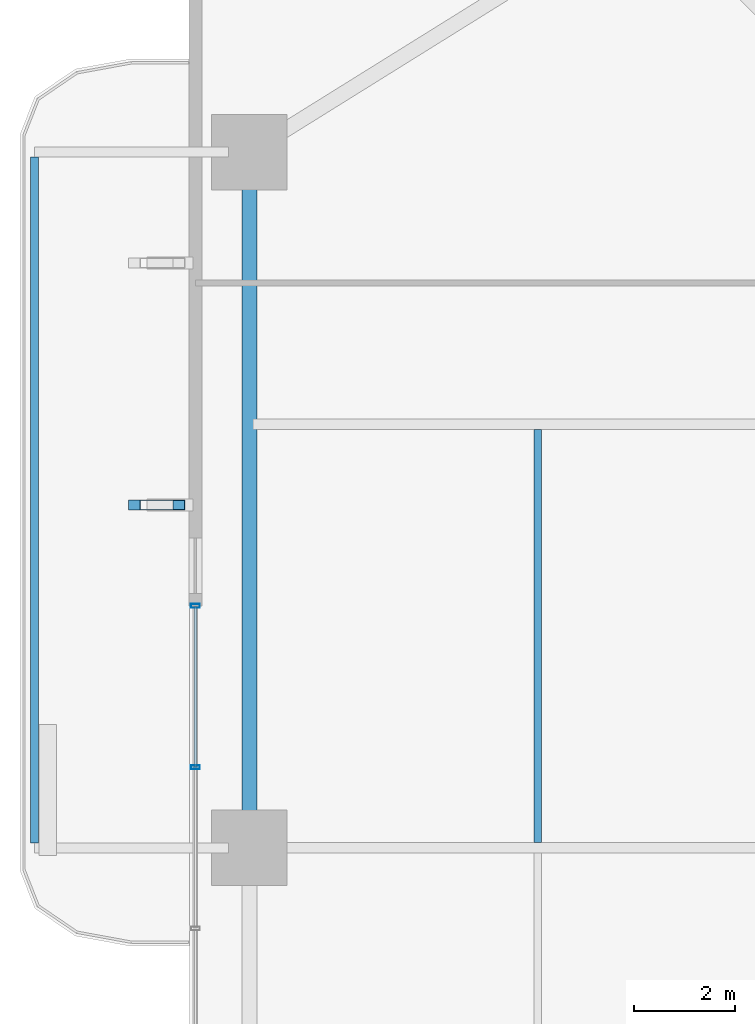
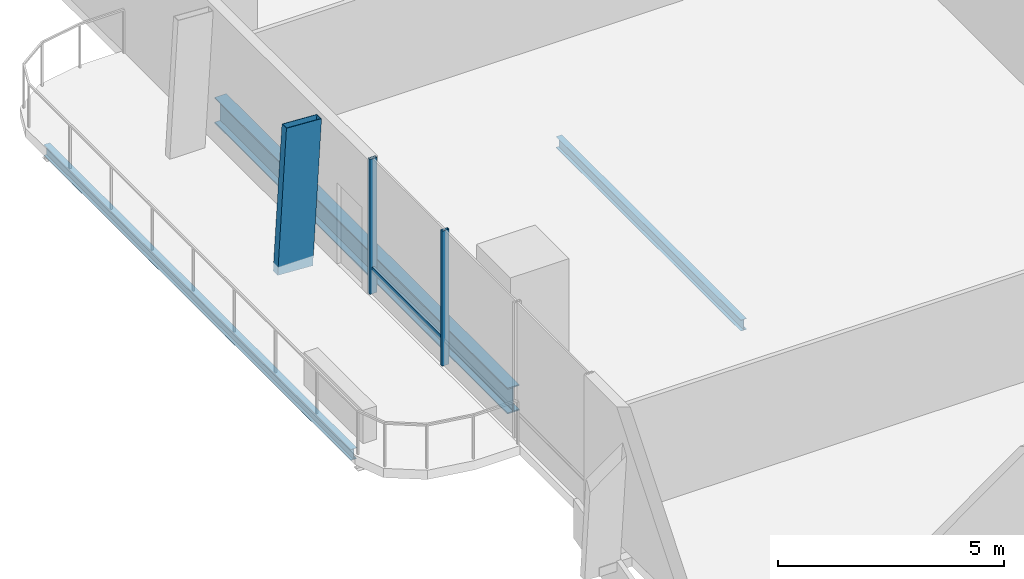
# One storey, part 9 of 23: 4 members, 3 beams, 1 element without a shape of its own.
"""IFC4 building model written with IfcOpenShell, lengths in metres."""

from ifc_helpers import new_model, si_unit, direction, frame, origin, origin_2d, place, context, subcontext, project, spatial, hollow_rectangle, i_section, extrude, material, layer, layer_set, material_profile, profile_set, type_object, element, aggregate, save


model = new_model("IFC4")

# Units and contexts
model_context = context("Model", 3, precision=1e-05, world=origin(), true_north=direction((0.0, 1.0)))
body_context = subcontext(model_context, "Body", "Model", "MODEL_VIEW")
ifc_project = project(units=[si_unit("LENGTHUNIT", "METRE"), si_unit("AREAUNIT", "SQUARE_METRE"), si_unit("VOLUMEUNIT", "CUBIC_METRE"), si_unit("PLANEANGLEUNIT", "RADIAN"), si_unit("MASSUNIT", "GRAM", prefix="KILO")], contexts=[model_context])

# Site, building, storey
site_placement = place(None, origin())
site = spatial("IfcSite", under=ifc_project, at=site_placement, CompositionType="ELEMENT")
building_placement = place(site_placement, origin())
building = spatial("IfcBuilding", under=site, at=building_placement, Name="Belovzor Exchange Tower", CompositionType="ELEMENT")
storey_placement = place(building_placement, frame((0.0, 0.0, 88.5)))
storey = spatial("IfcBuildingStorey", under=building, at=storey_placement, Name="L21", CompositionType="ELEMENT", Elevation=88.5)

# Beams
ifc_material_1 = material(Name="Steel S355", Category="steel")
ifc_material_profile_1 = material_profile(ifc_material_1, i_section(OverallWidth=0.14990234375, OverallDepth=0.300048828125, WebThickness=0.007080078125, FlangeThickness=0.0107421875, at=origin_2d()))
ifc_profile_set_1 = profile_set([ifc_material_profile_1], Name="Steel S355")
beam_type_1 = type_object("IfcBeamType", Name="Planted Balcony Fascia Edge Beam IPE 300", PredefinedType="BEAM", material=ifc_profile_set_1)
beam_1_placement = place(storey_placement, frame((-2.162109375, 42.5, -0.39990234375), z_axis=(0.0, -1.0, 0.0), x_axis=(1.0, 0.0, 0.0)))
element("IfcBeam", 1, at=beam_1_placement, inside=storey, type_object=beam_type_1, Name="BC-300 Planted Balcony Fascia Edge Beam IPE 300", PredefinedType="BEAM", context=body_context, shape_type="SweptSolid", body=[
    extrude(i_section(OverallWidth=0.14990234375, OverallDepth=0.300048828125, WebThickness=0.007080078125, FlangeThickness=0.0107421875, at=origin_2d()), origin(), (0.0, 0.0, 1.0), 13.60009765625),
])
ifc_material_2 = material(Name="Steel S355", Category="steel")
ifc_material_profile_2 = material_profile(ifc_material_2, i_section(OverallWidth=0.14990234375, OverallDepth=0.300048828125, WebThickness=0.007080078125, FlangeThickness=0.0107421875, at=origin_2d()))
ifc_profile_set_2 = profile_set([ifc_material_profile_2], Name="Steel S355")
beam_type_2 = type_object("IfcBeamType", Name="Secondary Trim Floor Joist IPE 300", PredefinedType="BEAM", material=ifc_profile_set_2)
beam_2_placement = place(storey_placement, frame((7.81494140625, 28.905029296875, -0.39990234375), z_axis=(0.0, 1.0, 0.0), x_axis=(-1.0, 0.0, 0.0)))
element("IfcBeam", 2, at=beam_2_placement, inside=storey, type_object=beam_type_2, Name="FJ-300 Secondary Trim Floor Joist IPE 300", PredefinedType="BEAM", context=body_context, shape_type="SweptSolid", body=[
    extrude(i_section(OverallWidth=0.14990234375, OverallDepth=0.300048828125, WebThickness=0.007080078125, FlangeThickness=0.0107421875, at=origin_2d()), origin(), (0.0, 0.0, 1.0), 8.18994140625),
])

# Member
ifc_material_3 = material(Name="Extruded Architectural Terracotta on Steel S355 Carrier", Category="masonry")
ifc_material_profile_3 = material_profile(ifc_material_3, hollow_rectangle(XDim=0.199951171875, YDim=0.89990234375, WallThickness=0.011962890625, at=origin_2d()))
ifc_profile_set_3 = profile_set([ifc_material_profile_3], Name="Extruded Architectural Terracotta on Steel S355 Carrier")
member_type_1 = type_object("IfcMemberType", Name="Sweeping Terracotta Baguette Fin Assembly 1250", PredefinedType="USERDEFINED", material=ifc_profile_set_3)
member_1_placement = place(storey_placement, frame((0.14990234375, 35.60009765625, -0.25), z_axis=(0.0576228887, 0.0, 0.998338420926), x_axis=(0.0, 1.0, 0.0)))
element("IfcMember", 3, at=member_1_placement, inside=storey, type_object=member_type_1, Name="FIN-TC125 Terracotta Facade Fin L21 W3", ObjectType="FIN", PredefinedType="USERDEFINED", context=body_context, shape_type="SweptSolid", body=[
    extrude(hollow_rectangle(XDim=0.199951171875, YDim=0.89990234375, WallThickness=0.011962890625, at=origin_2d()), origin(), (0.0, 0.0, 1.0), 3.906494140625),
])

# Curtain wall, members
ifc_material_4 = material(Name="Anodised Aluminium Framing", Category="aluminium")
ifc_layer = layer(ifc_material_4, 0.179931640625)
ifc_layer_set = layer_set([ifc_layer], Name="Anodised Aluminium Framing")
curtain_wall_type = type_object("IfcCurtainWallType", Name="Recessed Loggia Low-Iron Triple-Glazed Curtain Wall", PredefinedType="NOTDEFINED", material=ifc_layer_set)
curtain_wall_placement = place(storey_placement, origin())
curtain_wall = element("IfcCurtainWall", 4, at=curtain_wall_placement, inside=storey, type_object=curtain_wall_type, Name="CW3 Recessed Loggia Low-Iron Triple-Glazed Curtain Wall L21", PredefinedType="NOTDEFINED")
ifc_material_5 = material(Name="Steel S355", Category="steel")
ifc_material_profile_4 = material_profile(ifc_material_5, hollow_rectangle(XDim=0.074951171875, YDim=0.179931640625, WallThickness=0.0048828125, at=origin_2d()))
ifc_profile_set_4 = profile_set([ifc_material_profile_4], Name="Steel S355")
member_type_2 = type_object("IfcMemberType", Name="Thermally Broken Curtain Wall Mullion 180x75", PredefinedType="MULLION", material=ifc_profile_set_4)
member_2_placement = place(storey_placement, frame((1.030029296875, 30.39990234375, 0.0), z_axis=(0.0, 0.0, 1.0), x_axis=(0.0, 1.0, 0.0)))
member_2 = element("IfcMember", 5, at=member_2_placement, type_object=member_type_2, Name="CW-M180 Curtain Wall Mullion 3", PredefinedType="MULLION", context=body_context, shape_type="SweptSolid", body=[
    extrude(hollow_rectangle(XDim=0.074951171875, YDim=0.179931640625, WallThickness=0.0048828125, at=origin_2d()), origin(), (0.0, 0.0, 1.0), 3.64990234375),
])
member_3_placement = place(storey_placement, frame((1.030029296875, 33.60009765625, 0.0), z_axis=(0.0, 0.0, 1.0), x_axis=(0.0, 1.0, 0.0)))
member_3 = element("IfcMember", 6, at=member_3_placement, type_object=member_type_2, Name="CW-M180 Curtain Wall Mullion 4", PredefinedType="MULLION", context=body_context, shape_type="SweptSolid", body=[
    extrude(hollow_rectangle(XDim=0.074951171875, YDim=0.179931640625, WallThickness=0.0048828125, at=origin_2d()), origin(), (0.0, 0.0, 1.0), 3.64990234375),
])
ifc_material_6 = material(Name="Steel S355", Category="steel")
ifc_material_profile_5 = material_profile(ifc_material_6, hollow_rectangle(XDim=0.06005859375, YDim=0.14990234375, WallThickness=0.00390625, at=origin_2d()))
ifc_profile_set_5 = profile_set([ifc_material_profile_5], Name="Steel S355")
member_type_3 = type_object("IfcMemberType", Name="Thermally Broken Curtain Wall Transom 150x60", PredefinedType="USERDEFINED", material=ifc_profile_set_5)
member_4_placement = place(storey_placement, frame((1.030029296875, 30.407958984375, 0.64990234375), z_axis=(0.0, 1.0, 0.0), x_axis=(-1.0, 0.0, 0.0)))
member_4 = element("IfcMember", 7, at=member_4_placement, type_object=member_type_3, Name="CW-T150 Curtain Wall Transom 3", ObjectType="TRANSOM", PredefinedType="USERDEFINED", context=body_context, shape_type="SweptSolid", body=[
    extrude(hollow_rectangle(XDim=0.06005859375, YDim=0.14990234375, WallThickness=0.00390625, at=origin_2d()), origin(), (0.0, 0.0, 1.0), 3.18408203125),
])
aggregate(curtain_wall, [member_2, member_3, member_4])

# Beam
ifc_material_7 = material(Name="Steel S355", Category="steel")
ifc_material_profile_6 = material_profile(ifc_material_7, i_section(OverallWidth=0.300048828125, OverallDepth=0.699951171875, WebThickness=0.01708984375, FlangeThickness=0.031982421875, at=origin_2d()))
ifc_profile_set_6 = profile_set([ifc_material_profile_6], Name="Steel S355")
beam_type_3 = type_object("IfcBeamType", Name="Zone 1 Primary Perimeter Girder HEB 700", PredefinedType="BEAM", material=ifc_profile_set_6)
beam_3_placement = place(storey_placement, frame((2.10009765625, 42.18798828125, -0.60009765625), z_axis=(0.0, -1.0, 0.0), x_axis=(1.0, 0.0, 0.0)))
element("IfcBeam", 8, at=beam_3_placement, inside=storey, type_object=beam_type_3, Name="FG-Z1 Zone 1 Primary Perimeter Girder HEB 700", PredefinedType="BEAM", context=body_context, shape_type="SweptSolid", body=[
    extrude(i_section(OverallWidth=0.300048828125, OverallDepth=0.699951171875, WebThickness=0.01708984375, FlangeThickness=0.031982421875, at=origin_2d()), origin(), (0.0, 0.0, 1.0), 12.97509765625),
])

save(model, "model.ifc")
